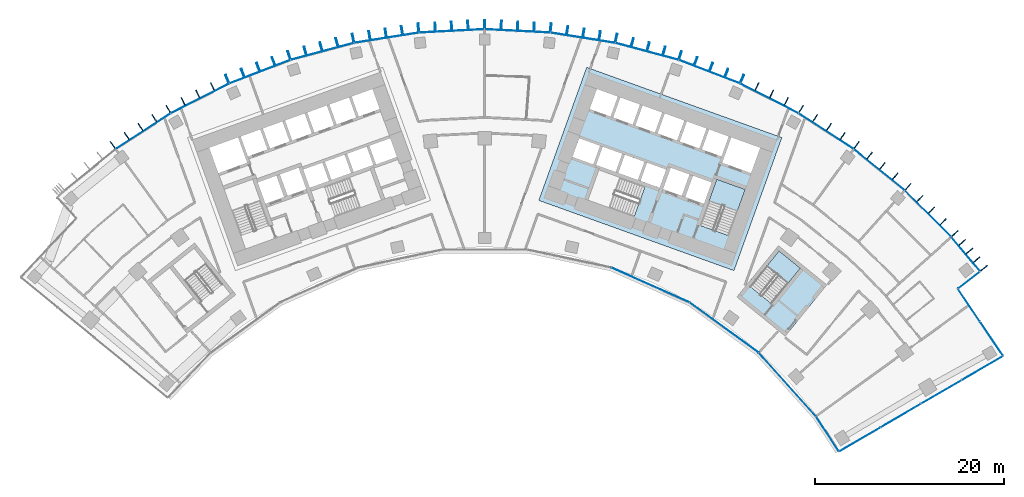
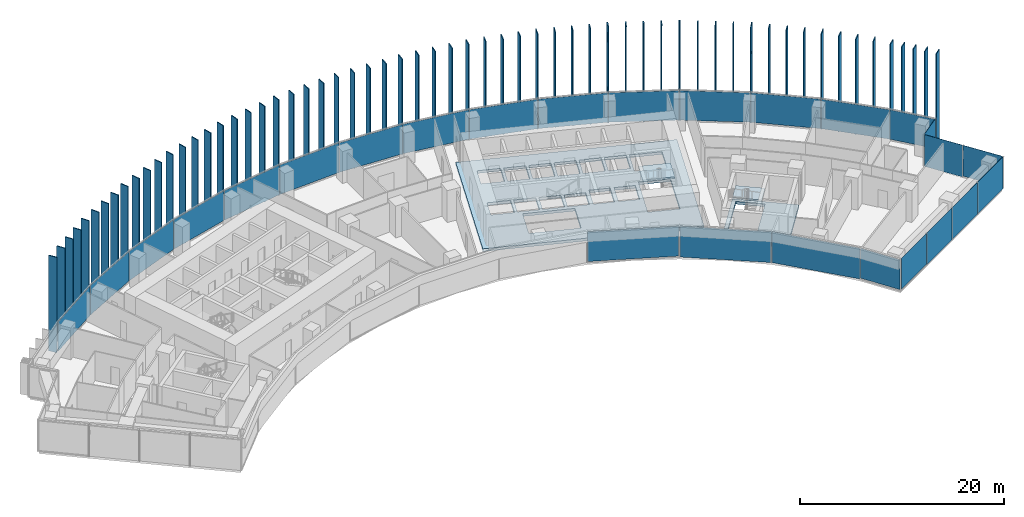
# One storey, part 14 of 22: 87 plates, 4 slabs, 7 elements without a shape of their own.
"""IFC4 building model written with IfcOpenShell, lengths in metres."""

from ifc_helpers import new_model, si_unit, direction, frame, origin, origin_2d, place, context, subcontext, project, spatial, polyline, rectangle, outline, extrude, material, layer, layer_set, type_object, element, aggregate, save


model = new_model("IFC4")

# Units and contexts
model_context = context("Model", 3, precision=1e-05, world=origin(), true_north=direction((0.0, 1.0)))
body_context = subcontext(model_context, "Body", "Model", "MODEL_VIEW")
ifc_project = project(units=[si_unit("LENGTHUNIT", "METRE"), si_unit("AREAUNIT", "SQUARE_METRE"), si_unit("VOLUMEUNIT", "CUBIC_METRE"), si_unit("PLANEANGLEUNIT", "RADIAN"), si_unit("MASSUNIT", "GRAM", prefix="KILO")], contexts=[model_context])

# Site, building, storey
site_placement = place(None, origin())
site = spatial("IfcSite", under=ifc_project, at=site_placement, CompositionType="ELEMENT")
building_placement = place(site_placement, origin())
building = spatial("IfcBuilding", under=site, at=building_placement, Name="Stone Belt Terrace Tower", CompositionType="ELEMENT")
storey_placement = place(building_placement, frame((0.0, 0.0, 109.800048828125)))
storey = spatial("IfcBuildingStorey", under=building, at=storey_placement, Name="L26", CompositionType="ELEMENT", Elevation=109.800048828125)

# Curtain wall, plates
ifc_material_1 = material(Name="Aluminium 6063-T6 anodised frame", Category="aluminium")
ifc_layer_1 = layer(ifc_material_1, 0.14990234375)
ifc_layer_set_1 = layer_set([ifc_layer_1], Name="CW-A unitised convex-face curtain wall")
curtain_wall_type_1 = type_object("IfcCurtainWallType", Name="CW-A unitised convex-face curtain wall", PredefinedType="NOTDEFINED", material=ifc_layer_set_1)
curtain_wall_1_placement = place(storey_placement, origin())
curtain_wall_1 = element("IfcCurtainWall", 1, at=curtain_wall_1_placement, inside=storey, type_object=curtain_wall_type_1, Name="CW-A convex face L26", PredefinedType="NOTDEFINED")
ifc_material_2 = material(Name="Clear double glazed unit")
ifc_layer_2 = layer(ifc_material_2, 0.031982421875)
ifc_layer_set_2 = layer_set([ifc_layer_2], Name="CW-A glass panel 32")
plate_type_1 = type_object("IfcPlateType", Name="CW-A glass panel 32", PredefinedType="CURTAIN_PANEL", material=ifc_layer_set_2)
plate_1_placement = place(storey_placement, frame((50.993896484375, 42.73583984375, 0.139892578125), z_axis=(0.0, 0.0, 1.0), x_axis=(-0.642509184121, 0.766277983711, 0.0)))
plate_1 = element("IfcPlate", 2, at=plate_1_placement, type_object=plate_type_1, Name="CW-A panel 1.1", PredefinedType="CURTAIN_PANEL", context=body_context, shape_type="SweptSolid", body=[
    extrude(rectangle(XDim=4.662841796875, YDim=0.031982421875, at=origin_2d()), origin(), (0.0, 0.0, 1.0), 3.52001953125),
])
plate_2_placement = place(storey_placement, frame((47.01123046875, 47.01123046875, 0.139892578125), z_axis=(0.0, 0.0, 1.0), x_axis=(-0.707106781187, 0.707106781187, 0.0)))
plate_2 = element("IfcPlate", 3, at=plate_2_placement, type_object=plate_type_1, Name="CW-A panel 2.1", PredefinedType="CURTAIN_PANEL", context=body_context, shape_type="SweptSolid", body=[
    extrude(rectangle(XDim=6.90087890625, YDim=0.031982421875, at=origin_2d()), origin(), (0.0, 0.0, 1.0), 3.52001953125),
])
plate_3_placement = place(storey_placement, frame((41.839599609375, 51.667724609375, 0.139892578125), z_axis=(0.0, 0.0, 1.0), x_axis=(-0.777145961457, 0.62932039105, 0.0)))
plate_3 = element("IfcPlate", 4, at=plate_3_placement, type_object=plate_type_1, Name="CW-A panel 3.1", PredefinedType="CURTAIN_PANEL", context=body_context, shape_type="SweptSolid", body=[
    extrude(rectangle(XDim=6.90087890625, YDim=0.031982421875, at=origin_2d()), origin(), (0.0, 0.0, 1.0), 3.52001953125),
])
plate_4_placement = place(storey_placement, frame((36.209716796875, 55.758056640625, 0.139892578125), z_axis=(0.0, 0.0, 1.0), x_axis=(-0.838670567945, 0.544639035015, 0.0)))
plate_4 = element("IfcPlate", 5, at=plate_4_placement, type_object=plate_type_1, Name="CW-A panel 4.1", PredefinedType="CURTAIN_PANEL", context=body_context, shape_type="SweptSolid", body=[
    extrude(rectangle(XDim=6.90087890625, YDim=0.031982421875, at=origin_2d()), origin(), (0.0, 0.0, 1.0), 3.52001953125),
])
plate_5_placement = place(storey_placement, frame((30.18310546875, 59.237548828125, 0.139892578125), z_axis=(0.0, 0.0, 1.0), x_axis=(-0.891006524188, 0.45399049974, 0.0)))
plate_5 = element("IfcPlate", 6, at=plate_5_placement, type_object=plate_type_1, Name="CW-A panel 5.1", PredefinedType="CURTAIN_PANEL", context=body_context, shape_type="SweptSolid", body=[
    extrude(rectangle(XDim=6.90087890625, YDim=0.031982421875, at=origin_2d()), origin(), (0.0, 0.0, 1.0), 3.52001953125),
])
plate_6_placement = place(storey_placement, frame((23.82568359375, 62.068115234375, 0.139892578125), z_axis=(0.0, 0.0, 1.0), x_axis=(-0.933580426497, 0.358367949545, 0.0)))
plate_6 = element("IfcPlate", 7, at=plate_6_placement, type_object=plate_type_1, Name="CW-A panel 6.1", PredefinedType="CURTAIN_PANEL", context=body_context, shape_type="SweptSolid", body=[
    extrude(rectangle(XDim=6.90087890625, YDim=0.031982421875, at=origin_2d()), origin(), (0.0, 0.0, 1.0), 3.52001953125),
])
plate_7_placement = place(storey_placement, frame((17.207275390625, 64.218505859375, 0.139892578125), z_axis=(0.0, 0.0, 1.0), x_axis=(-0.965925826289, 0.258819045103, 0.0)))
plate_7 = element("IfcPlate", 8, at=plate_7_placement, type_object=plate_type_1, Name="CW-A panel 7.1", PredefinedType="CURTAIN_PANEL", context=body_context, shape_type="SweptSolid", body=[
    extrude(rectangle(XDim=6.90087890625, YDim=0.031982421875, at=origin_2d()), origin(), (0.0, 0.0, 1.0), 3.52001953125),
])
plate_8_placement = place(storey_placement, frame((10.400390625, 65.665283203125, 0.139892578125), z_axis=(0.0, 0.0, 1.0), x_axis=(-0.987688340595, 0.15643446504, 0.0)))
plate_8 = element("IfcPlate", 9, at=plate_8_placement, type_object=plate_type_1, Name="CW-A panel 8.1", PredefinedType="CURTAIN_PANEL", context=body_context, shape_type="SweptSolid", body=[
    extrude(rectangle(XDim=6.90087890625, YDim=0.031982421875, at=origin_2d()), origin(), (0.0, 0.0, 1.0), 3.52001953125),
])
plate_9_placement = place(storey_placement, frame((3.4794921875, 66.392822265625, 0.139892578125), z_axis=(0.0, 0.0, 1.0), x_axis=(-0.998629534755, 0.052335956243, 0.0)))
plate_9 = element("IfcPlate", 10, at=plate_9_placement, type_object=plate_type_1, Name="CW-A panel 9.1", PredefinedType="CURTAIN_PANEL", context=body_context, shape_type="SweptSolid", body=[
    extrude(rectangle(XDim=6.90087890625, YDim=0.031982421875, at=origin_2d()), origin(), (0.0, 0.0, 1.0), 3.52001953125),
])
plate_10_placement = place(storey_placement, frame((-3.4794921875, 66.392822265625, 0.139892578125), z_axis=(0.0, 0.0, 1.0), x_axis=(-0.998629534755, -0.052335956243, 0.0)))
plate_10 = element("IfcPlate", 11, at=plate_10_placement, type_object=plate_type_1, Name="CW-A panel 10.1", PredefinedType="CURTAIN_PANEL", context=body_context, shape_type="SweptSolid", body=[
    extrude(rectangle(XDim=6.90087890625, YDim=0.031982421875, at=origin_2d()), origin(), (0.0, 0.0, 1.0), 3.52001953125),
])
plate_11_placement = place(storey_placement, frame((-10.400390625, 65.665283203125, 0.139892578125), z_axis=(0.0, 0.0, 1.0), x_axis=(-0.987688340595, -0.15643446504, 0.0)))
plate_11 = element("IfcPlate", 12, at=plate_11_placement, type_object=plate_type_1, Name="CW-A panel 11.1", PredefinedType="CURTAIN_PANEL", context=body_context, shape_type="SweptSolid", body=[
    extrude(rectangle(XDim=6.90087890625, YDim=0.031982421875, at=origin_2d()), origin(), (0.0, 0.0, 1.0), 3.52001953125),
])
plate_12_placement = place(storey_placement, frame((-17.207275390625, 64.218505859375, 0.139892578125), z_axis=(0.0, 0.0, 1.0), x_axis=(-0.965925826289, -0.258819045103, 0.0)))
plate_12 = element("IfcPlate", 13, at=plate_12_placement, type_object=plate_type_1, Name="CW-A panel 12.1", PredefinedType="CURTAIN_PANEL", context=body_context, shape_type="SweptSolid", body=[
    extrude(rectangle(XDim=6.90087890625, YDim=0.031982421875, at=origin_2d()), origin(), (0.0, 0.0, 1.0), 3.52001953125),
])
plate_13_placement = place(storey_placement, frame((-23.82568359375, 62.068115234375, 0.139892578125), z_axis=(0.0, 0.0, 1.0), x_axis=(-0.933580426497, -0.358367949545, 0.0)))
plate_13 = element("IfcPlate", 14, at=plate_13_placement, type_object=plate_type_1, Name="CW-A panel 13.1", PredefinedType="CURTAIN_PANEL", context=body_context, shape_type="SweptSolid", body=[
    extrude(rectangle(XDim=6.90087890625, YDim=0.031982421875, at=origin_2d()), origin(), (0.0, 0.0, 1.0), 3.52001953125),
])
plate_14_placement = place(storey_placement, frame((-30.18310546875, 59.237548828125, 0.139892578125), z_axis=(0.0, 0.0, 1.0), x_axis=(-0.891006524188, -0.45399049974, 0.0)))
plate_14 = element("IfcPlate", 15, at=plate_14_placement, type_object=plate_type_1, Name="CW-A panel 14.1", PredefinedType="CURTAIN_PANEL", context=body_context, shape_type="SweptSolid", body=[
    extrude(rectangle(XDim=6.90087890625, YDim=0.031982421875, at=origin_2d()), origin(), (0.0, 0.0, 1.0), 3.52001953125),
])
plate_15_placement = place(storey_placement, frame((-36.209716796875, 55.758056640625, 0.139892578125), z_axis=(0.0, 0.0, 1.0), x_axis=(-0.838670567945, -0.544639035015, 0.0)))
plate_15 = element("IfcPlate", 16, at=plate_15_placement, type_object=plate_type_1, Name="CW-A panel 15.1", PredefinedType="CURTAIN_PANEL", context=body_context, shape_type="SweptSolid", body=[
    extrude(rectangle(XDim=6.90087890625, YDim=0.031982421875, at=origin_2d()), origin(), (0.0, 0.0, 1.0), 3.52001953125),
])
aggregate(curtain_wall_1, [plate_1, plate_2, plate_3, plate_4, plate_5, plate_6, plate_7, plate_8, plate_9, plate_10, plate_11, plate_12, plate_13, plate_14, plate_15])

ifc_layer_3 = layer(ifc_material_1, 0.14990234375)
ifc_layer_set_3 = layer_set([ifc_layer_3], Name="CW-B unitised concave-face curtain wall")
curtain_wall_type_2 = type_object("IfcCurtainWallType", Name="CW-B unitised concave-face curtain wall", PredefinedType="NOTDEFINED", material=ifc_layer_set_3)
curtain_wall_2_placement = place(storey_placement, origin())
curtain_wall_2 = element("IfcCurtainWall", 17, at=curtain_wall_2_placement, inside=storey, type_object=curtain_wall_type_2, Name="CW-B concave face L26", PredefinedType="NOTDEFINED")
ifc_layer_4 = layer(ifc_material_2, 0.030029296875)
ifc_layer_set_4 = layer_set([ifc_layer_4], Name="CW-B glass panel 30")
plate_type_2 = type_object("IfcPlateType", Name="CW-B glass panel 30", PredefinedType="CURTAIN_PANEL", material=ifc_layer_set_4)
plate_16_placement = place(storey_placement, frame((17.565673828125, 39.453125, 0.119873046875), z_axis=(0.0, 0.0, 1.0), x_axis=(0.913545457643, -0.406736643076, 0.0)))
plate_16 = element("IfcPlate", 18, at=plate_16_placement, type_object=plate_type_2, Name="CW-B panel 7.1", PredefinedType="CURTAIN_PANEL", context=body_context, shape_type="SweptSolid", body=[
    extrude(rectangle(XDim=9.0126953125, YDim=0.030029296875, at=origin_2d()), origin(), (0.0, 0.0, 1.0), 3.56005859375),
])
plate_17_placement = place(storey_placement, frame((25.384521484375, 34.938720703125, 0.0), z_axis=(0.0, 0.0, 1.0), x_axis=(0.809016994375, -0.587785252292, 0.0)))
plate_17 = element("IfcPlate", 19, at=plate_17_placement, type_object=plate_type_2, Name="CW-B panel 8.1", PredefinedType="CURTAIN_PANEL", context=body_context, shape_type="SweptSolid", body=[
    extrude(rectangle(XDim=9.0126953125, YDim=0.030029296875, at=origin_2d()), origin(), (0.0, 0.0, 1.0), 3.679931640625),
])
plate_18_placement = place(storey_placement, frame((32.09521484375, 28.89599609375, 0.0), z_axis=(0.0, 0.0, 1.0), x_axis=(0.669130606359, -0.743144825477, 0.0)))
plate_18 = element("IfcPlate", 20, at=plate_18_placement, type_object=plate_type_2, Name="CW-B panel 9.1", PredefinedType="CURTAIN_PANEL", context=body_context, shape_type="SweptSolid", body=[
    extrude(rectangle(XDim=9.016845703125, YDim=0.030029296875, at=origin_2d()), origin(), (0.0, 0.0, 1.0), 3.679931640625),
])
plate_19_placement = place(storey_placement, frame((36.3408203125, 23.66943359375, 0.119873046875), z_axis=(0.0, 0.0, 1.0), x_axis=(0.546131502436, -0.837699458068, 0.0)))
plate_19 = element("IfcPlate", 21, at=plate_19_placement, type_object=plate_type_2, Name="CW-B panel 10.1", PredefinedType="CURTAIN_PANEL", context=body_context, shape_type="SweptSolid", body=[
    extrude(rectangle(XDim=4.363525390625, YDim=0.030029296875, at=origin_2d()), origin(), (0.0, 0.0, 1.0), 3.56005859375),
])
aggregate(curtain_wall_2, [plate_16, plate_17, plate_18, plate_19])

ifc_layer_5 = layer(ifc_material_1, 0.14990234375)
ifc_layer_set_5 = layer_set([ifc_layer_5], Name="CW-C stick curtain wall, horn ends and notches")
curtain_wall_type_3 = type_object("IfcCurtainWallType", Name="CW-C stick curtain wall, horn ends and notches", PredefinedType="NOTDEFINED", material=ifc_layer_set_5)
curtain_wall_3_placement = place(storey_placement, origin())
curtain_wall_3 = element("IfcCurtainWall", 22, at=curtain_wall_3_placement, inside=storey, type_object=curtain_wall_type_3, Name="CW-C end face L26", PredefinedType="NOTDEFINED")
ifc_layer_6 = layer(ifc_material_2, 0.028076171875)
ifc_layer_set_6 = layer_set([ifc_layer_6], Name="CW-C glass panel 28")
plate_type_3 = type_object("IfcPlateType", Name="CW-C glass panel 28", PredefinedType="CURTAIN_PANEL", material=ifc_layer_set_6)
plate_20_placement = place(storey_placement, frame((39.78076171875, 23.06982421875, 0.1201171875), z_axis=(0.0, 0.0, 1.0), x_axis=(0.864239322284, 0.503080901861, 0.0)))
plate_20 = element("IfcPlate", 23, at=plate_20_placement, type_object=plate_type_3, Name="CW-C panel 1.1", PredefinedType="CURTAIN_PANEL", context=body_context, shape_type="SweptSolid", body=[
    extrude(rectangle(XDim=4.9677734375, YDim=0.028076171875, at=origin_2d()), origin(), (0.0, 0.0, 1.0), 3.679931640625),
])
plate_21_placement = place(storey_placement, frame((44.114013671875, 25.59228515625, 0.0), z_axis=(0.0, 0.0, 1.0), x_axis=(0.864239322284, 0.503080901861, 0.0)))
plate_21 = element("IfcPlate", 24, at=plate_21_placement, type_object=plate_type_3, Name="CW-C panel 2.1", PredefinedType="CURTAIN_PANEL", context=body_context, shape_type="SweptSolid", body=[
    extrude(rectangle(XDim=4.93994140625, YDim=0.028076171875, at=origin_2d()), origin(), (0.0, 0.0, 1.0), 3.800048828125),
])
plate_22_placement = place(storey_placement, frame((48.43505859375, 28.107666015625, 0.0), z_axis=(0.0, 0.0, 1.0), x_axis=(0.864239322284, 0.503080901861, 0.0)))
plate_22 = element("IfcPlate", 25, at=plate_22_placement, type_object=plate_type_3, Name="CW-C panel 3.1", PredefinedType="CURTAIN_PANEL", context=body_context, shape_type="SweptSolid", body=[
    extrude(rectangle(XDim=4.93994140625, YDim=0.028076171875, at=origin_2d()), origin(), (0.0, 0.0, 1.0), 3.800048828125),
])
plate_23_placement = place(storey_placement, frame((52.771484375, 30.6318359375, 0.0), z_axis=(0.0, 0.0, 1.0), x_axis=(0.864239322284, 0.503080901861, 0.0)))
plate_23 = element("IfcPlate", 26, at=plate_23_placement, type_object=plate_type_3, Name="CW-C panel 4.1", PredefinedType="CURTAIN_PANEL", context=body_context, shape_type="SweptSolid", body=[
    extrude(rectangle(XDim=4.974853515625, YDim=0.028076171875, at=origin_2d()), origin(), (0.0, 0.0, 1.0), 3.800048828125),
])
aggregate(curtain_wall_3, [plate_20, plate_21, plate_22, plate_23])

curtain_wall_4_placement = place(storey_placement, origin())
curtain_wall_4 = element("IfcCurtainWall", 27, at=curtain_wall_4_placement, inside=storey, type_object=curtain_wall_type_3, Name="CW-C notch face L26", PredefinedType="NOTDEFINED")
plate_24_placement = place(storey_placement, frame((53.748046875, 33.751220703125, 0.1201171875), z_axis=(0.0, 0.0, 1.0), x_axis=(-0.560367245622, 0.828244257471, 0.0)))
plate_24 = element("IfcPlate", 28, at=plate_24_placement, type_object=plate_type_3, Name="CW-C panel 1.1", PredefinedType="CURTAIN_PANEL", context=body_context, shape_type="SweptSolid", body=[
    extrude(rectangle(XDim=4.268798828125, YDim=0.028076171875, at=origin_2d()), origin(), (0.0, 0.0, 1.0), 3.679931640625),
])
plate_25_placement = place(storey_placement, frame((51.364013671875, 37.275146484375, 0.0), z_axis=(0.0, 0.0, 1.0), x_axis=(-0.560367245622, 0.828244257471, 0.0)))
plate_25 = element("IfcPlate", 29, at=plate_25_placement, type_object=plate_type_3, Name="CW-C panel 2.1", PredefinedType="CURTAIN_PANEL", context=body_context, shape_type="SweptSolid", body=[
    extrude(rectangle(XDim=4.12060546875, YDim=0.028076171875, at=origin_2d()), origin(), (0.0, 0.0, 1.0), 3.800048828125),
])
aggregate(curtain_wall_4, [plate_24, plate_25])

# Curtain wall, plate
curtain_wall_5_placement = place(storey_placement, origin())
curtain_wall_5 = element("IfcCurtainWall", 30, at=curtain_wall_5_placement, inside=storey, type_object=curtain_wall_type_3, Name="CW-C notch face L26", PredefinedType="NOTDEFINED")
plate_26_placement = place(storey_placement, frame((51.353515625, 39.966552734375, 0.1201171875), z_axis=(0.0, 0.0, 1.0), x_axis=(0.788458012337, 0.615088581248, 0.0)))
plate_26 = element("IfcPlate", 31, at=plate_26_placement, type_object=plate_type_3, Name="CW-C panel 1.1", PredefinedType="CURTAIN_PANEL", context=body_context, shape_type="SweptSolid", body=[
    extrude(rectangle(XDim=2.859619140625, YDim=0.028076171875, at=origin_2d()), origin(), (0.0, 0.0, 1.0), 3.679931640625),
])
aggregate(curtain_wall_5, [plate_26])

# Slabs
ifc_material_3 = material(Name="Concrete B40", Category="concrete")
ifc_layer_7 = layer(ifc_material_3, 0.320068359375)
ifc_layer_set_7 = layer_set([ifc_layer_7], Name="Core floor slab 320")
slab_type_1 = type_object("IfcSlabType", Name="Core floor slab 320", PredefinedType="FLOOR", material=ifc_layer_set_7)
slab_1_placement = place(storey_placement, frame((0.0, 0.0, -0.320068359375)))
element("IfcSlab", 32, at=slab_1_placement, inside=storey, type_object=slab_type_1, Name="Core B floor L26", PredefinedType="FLOOR", context=body_context, shape_type="SweptSolid", body=[
    extrude(outline(polyline([(26.43505859375, 40.968994140625), (31.513916015625, 55.0830078125), (10.81396484375, 62.531982421875), (5.735107421875, 48.4189453125), (26.43505859375, 40.968994140625)]), holes=[polyline([(12.10595703125, 51.652099609375), (16.998046875, 49.89208984375), (15.846923828125, 46.69189453125), (10.955078125, 48.452880859375), (12.10595703125, 51.652099609375)]), polyline([(19.239990234375, 51.68896484375), (18.5458984375, 49.760009765625), (16.52294921875, 50.488037109375), (17.217041015625, 52.4169921875), (19.239990234375, 51.68896484375)]), polyline([(16.239990234375, 50.589111328125), (14.169921875, 51.333984375), (14.864013671875, 53.262939453125), (16.93408203125, 52.51806640625), (16.239990234375, 50.589111328125)]), polyline([(14.58203125, 53.364990234375), (13.887939453125, 51.43603515625), (11.864990234375, 52.1640625), (11.847900390625, 52.116943359375), (11.801025390625, 52.134033203125), (12.511962890625, 54.110107421875), (14.58203125, 53.364990234375)]), polyline([(9.30810546875, 53.031005859375), (10.01904296875, 55.007080078125), (12.22998046875, 54.2109375), (11.51904296875, 52.235107421875), (9.30810546875, 53.031005859375)]), polyline([(16.743896484375, 58.485107421875), (18.81396484375, 57.739990234375), (18.052001953125, 55.623046875), (15.98193359375, 56.367919921875), (16.743896484375, 58.485107421875)]), polyline([(14.39111328125, 59.33203125), (16.4609375, 58.5869140625), (15.699951171875, 56.469970703125), (13.6298828125, 57.215087890625), (14.39111328125, 59.33203125)]), polyline([(11.89794921875, 60.22900390625), (14.10888671875, 59.43408203125), (13.346923828125, 57.31591796875), (11.135986328125, 58.112060546875), (11.89794921875, 60.22900390625)]), polyline([(25.85888671875, 44.68408203125), (22.847900390625, 45.76806640625), (24.60791015625, 50.659912109375), (27.618896484375, 49.575927734375), (25.85888671875, 44.68408203125)]), polyline([(21.27392578125, 48.778076171875), (22.0869140625, 51.035888671875), (24.06298828125, 50.324951171875), (23.25, 48.06689453125), (21.27392578125, 48.778076171875)]), polyline([(18.922119140625, 49.6240234375), (19.735107421875, 51.883056640625), (21.7109375, 51.1708984375), (20.89794921875, 48.9130859375), (18.922119140625, 49.6240234375)]), polyline([(29.2109375, 53.9990234375), (28.24609375, 51.31689453125), (25.18798828125, 52.41796875), (26.153076171875, 55.09912109375), (29.2109375, 53.9990234375)]), polyline([(23.801025390625, 55.946044921875), (25.87109375, 55.200927734375), (25.10888671875, 53.083984375), (23.0390625, 53.8291015625), (23.801025390625, 55.946044921875)]), polyline([(21.447998046875, 56.7919921875), (23.51806640625, 56.047119140625), (22.756103515625, 53.929931640625), (20.68603515625, 54.675048828125), (21.447998046875, 56.7919921875)]), polyline([(19.095947265625, 57.638916015625), (21.166015625, 56.89404296875), (20.404052734375, 54.777099609375), (18.333984375, 55.52197265625), (19.095947265625, 57.638916015625)])]), origin(), (0.0, 0.0, 1.0), 0.320068359375),
])
slab_2_placement = place(storey_placement, frame((0.0, 0.0, -0.320068359375)))
element("IfcSlab", 33, at=slab_2_placement, inside=storey, type_object=slab_type_1, Name="Exit stair ST3B floor L26", PredefinedType="FLOOR", context=body_context, shape_type="SweptSolid", body=[
    extrude(outline(polyline([(26.741943359375, 38.18408203125), (31.866943359375, 34.02392578125), (36.278076171875, 39.458984375), (31.154052734375, 43.618896484375), (26.741943359375, 38.18408203125)]), holes=[polyline([(30.407958984375, 37.462890625), (28.156005859375, 39.291015625), (31.2119140625, 43.055908203125), (33.464111328125, 41.22802734375), (30.407958984375, 37.462890625)])]), origin(), (0.0, 0.0, 1.0), 0.320068359375),
])

# Stair, slab
stair_type = type_object("IfcStairType", Name="Exit stair 1500", PredefinedType="HALF_TURN_STAIR", material=ifc_material_3)
stair_1_placement = place(storey_placement, origin())
stair_1 = element("IfcStair", 34, at=stair_1_placement, inside=storey, type_object=stair_type, Name="L26 Exit stair 1 core B", PredefinedType="HALF_TURN_STAIR")
ifc_layer_8 = layer(ifc_material_3, 0.199951171875)
ifc_layer_set_8 = layer_set([ifc_layer_8], Name="Stair landing 200")
slab_type_2 = type_object("IfcSlabType", Name="Stair landing 200", PredefinedType="LANDING", material=ifc_layer_set_8)
slab_3_placement = place(storey_placement, frame((0.0, 0.0, 1.699951171875)))
slab_3 = element("IfcSlab", 35, at=slab_3_placement, type_object=slab_type_2, Name="ST1B landing 1", PredefinedType="LANDING", context=body_context, shape_type="SweptSolid", body=[
    extrude(outline(polyline([(26.806396484375, 47.3173828125), (27.619384765625, 49.576171875), (24.6083984375, 50.659912109375), (23.79541015625, 48.40087890625), (26.806396484375, 47.3173828125)])), origin(), (0.0, 0.0, 1.0), 0.199951171875),
])
aggregate(stair_1, [slab_3])

stair_2_placement = place(storey_placement, origin())
stair_2 = element("IfcStair", 36, at=stair_2_placement, inside=storey, type_object=stair_type, Name="L26 Exit stair 3B", PredefinedType="HALF_TURN_STAIR")
slab_4_placement = place(storey_placement, frame((0.0, 0.0, 1.699951171875)))
slab_4 = element("IfcSlab", 37, at=slab_4_placement, type_object=slab_type_2, Name="ST3B landing 1", PredefinedType="LANDING", context=body_context, shape_type="SweptSolid", body=[
    extrude(outline(polyline([(32.17138671875, 39.635986328125), (33.4638671875, 41.228271484375), (31.21240234375, 43.055908203125), (29.919921875, 41.463623046875), (32.17138671875, 39.635986328125)])), origin(), (0.0, 0.0, 1.0), 0.199951171875),
])
aggregate(stair_2, [slab_4])

# Plates
ifc_material_4 = material(Name="Terracotta coloured glazed ceramic", Category="masonry")
ifc_layer_9 = layer(ifc_material_4, 0.10009765625)
ifc_layer_set_9 = layer_set([ifc_layer_9], Name="Terracotta fin 100 x 900")
plate_type_4 = type_object("IfcPlateType", Name="Terracotta fin 100 x 900", PredefinedType="SHEET", material=ifc_layer_set_9)
for number, where, z_axis, x_axis, name in (
    (38, (52.942138671875, 41.229248046875, 0.0), (0.0, 0.0, 1.0), (0.766277983711, 0.642509184121, 0.0), "FIN L26 1.1"),
    (39, (52.17578125, 42.143310546875, 0.0), (0.0, 0.0, 1.0), (0.766277983711, 0.642509184121, 0.0), "FIN L26 1.2"),
    (40, (51.409423828125, 43.057373046875, 0.0), (0.0, 0.0, 1.0), (0.766277983711, 0.642509184121, 0.0), "FIN L26 1.3"),
    (41, (50.64306640625, 43.97119140625, 0.0), (0.0, 0.0, 1.0), (0.766277983711, 0.642509184121, 0.0), "FIN L26 1.4"),
    (42, (49.861572265625, 44.902587890625, 0.0), (0.0, 0.0, 1.0), (0.737400080522, 0.675456231925, 0.0), "FIN L26 2.1"),
    (43, (48.614013671875, 46.15087890625, 0.0), (0.0, 0.0, 1.0), (0.707106781187, 0.707106781187, 0.0), "FIN L26 2.2"),
    (44, (47.382080078125, 47.382568359375, 0.0), (0.0, 0.0, 1.0), (0.707106781187, 0.707106781187, 0.0), "FIN L26 2.3"),
    (45, (46.150390625, 48.614501953125, 0.0), (0.0, 0.0, 1.0), (0.707106781187, 0.707106781187, 0.0), "FIN L26 2.4"),
    (46, (44.898681640625, 49.864990234375, 0.0), (0.0, 0.0, 1.0), (0.669130606359, 0.743144825477, 0.0), "FIN L26 3.1"),
    (47, (43.52392578125, 50.979248046875, 0.0), (0.0, 0.0, 1.0), (0.62932039105, 0.777145961457, 0.0), "FIN L26 3.2"),
    (48, (42.170166015625, 52.07568359375, 0.0), (0.0, 0.0, 1.0), (0.62932039105, 0.777145961457, 0.0), "FIN L26 3.3"),
    (49, (40.816162109375, 53.172119140625, 0.0), (0.0, 0.0, 1.0), (0.62932039105, 0.777145961457, 0.0), "FIN L26 3.4"),
    (50, (39.4404296875, 54.28515625, 0.0), (0.0, 0.0, 1.0), (0.587785252292, 0.809016994375, 0.0), "FIN L26 4.1"),
    (51, (37.956787109375, 55.24951171875, 0.0), (0.0, 0.0, 1.0), (0.544639035015, 0.838670567945, 0.0), "FIN L26 4.2"),
    (52, (36.49560546875, 56.1982421875, 0.0), (0.0, 0.0, 1.0), (0.544639035015, 0.838670567945, 0.0), "FIN L26 4.3"),
    (53, (35.03466796875, 57.147216796875, 0.0), (0.0, 0.0, 1.0), (0.544639035015, 0.838670567945, 0.0), "FIN L26 4.4"),
    (54, (33.550048828125, 58.1103515625, 0.0), (0.0, 0.0, 1.0), (0.5, 0.866025403784, 0.0), "FIN L26 5.1"),
    (55, (31.9736328125, 58.914306640625, 0.0), (0.0, 0.0, 1.0), (0.45399049974, 0.891006524188, 0.0), "FIN L26 5.2"),
    (56, (30.42138671875, 59.705322265625, 0.0), (0.0, 0.0, 1.0), (0.45399049974, 0.891006524188, 0.0), "FIN L26 5.3"),
    (57, (28.869140625, 60.496337890625, 0.0), (0.0, 0.0, 1.0), (0.45399049974, 0.891006524188, 0.0), "FIN L26 5.4"),
    (58, (27.2919921875, 61.299072265625, 0.0), (0.0, 0.0, 1.0), (0.406736643076, 0.913545457643, 0.0), "FIN L26 6.1"),
    (59, (25.64013671875, 61.933837890625, 0.0), (0.0, 0.0, 1.0), (0.358367949545, 0.933580426497, 0.0), "FIN L26 6.2"),
    (60, (24.013916015625, 62.55810546875, 0.0), (0.0, 0.0, 1.0), (0.358367949545, 0.933580426497, 0.0), "FIN L26 6.3"),
    (61, (22.387451171875, 63.182373046875, 0.0), (0.0, 0.0, 1.0), (0.358367949545, 0.933580426497, 0.0), "FIN L26 6.4"),
    (62, (20.735107421875, 63.81591796875, 0.0), (0.0, 0.0, 1.0), (0.309016994375, 0.951056516295, 0.0), "FIN L26 7.1"),
    (63, (19.02587890625, 64.274658203125, 0.0), (0.0, 0.0, 1.0), (0.258819045103, 0.965925826289, 0.0), "FIN L26 7.2"),
    (64, (17.34326171875, 64.7255859375, 0.0), (0.0, 0.0, 1.0), (0.258819045103, 0.965925826289, 0.0), "FIN L26 7.3"),
    (65, (15.660400390625, 65.176513671875, 0.0), (0.0, 0.0, 1.0), (0.258819045103, 0.965925826289, 0.0), "FIN L26 7.4"),
    (66, (13.950927734375, 65.6337890625, 0.0), (0.0, 0.0, 1.0), (0.207911690818, 0.978147600734, 0.0), "FIN L26 8.1"),
    (67, (12.203125, 65.911376953125, 0.0), (0.0, 0.0, 1.0), (0.15643446504, 0.987688340595, 0.0), "FIN L26 8.2"),
    (68, (10.482421875, 66.183837890625, 0.0), (0.0, 0.0, 1.0), (0.15643446504, 0.987688340595, 0.0), "FIN L26 8.3"),
    (69, (8.76171875, 66.456298828125, 0.0), (0.0, 0.0, 1.0), (0.15643446504, 0.987688340595, 0.0), "FIN L26 8.4"),
    (70, (7.013916015625, 66.732421875, 0.0), (0.0, 0.0, 1.0), (0.104528463268, 0.994521895368, 0.0), "FIN L26 9.1"),
    (71, (5.246826171875, 66.825927734375, 0.0), (0.0, 0.0, 1.0), (0.052335956243, 0.998629534755, 0.0), "FIN L26 9.2"),
    (72, (3.507080078125, 66.9169921875, 0.0), (0.0, 0.0, 1.0), (0.052335956243, 0.998629534755, 0.0), "FIN L26 9.3"),
    (73, (1.767333984375, 67.00830078125, 0.0), (0.0, 0.0, 1.0), (0.052335956243, 0.998629534755, 0.0), "FIN L26 9.4"),
    (74, (0.0, 67.10009765625, 0.0), (0.0, 0.0, 1.0), (0.0, 1.0, 0.0), "FIN L26 10.1"),
    (75, (-1.767333984375, 67.00830078125, 0.0), (0.0, 0.0, 1.0), (-0.052335956243, 0.998629534755, 0.0), "FIN L26 10.2"),
    (76, (-3.507080078125, 66.9169921875, 0.0), (0.0, 0.0, 1.0), (-0.052335956243, 0.998629534755, 0.0), "FIN L26 10.3"),
    (77, (-5.246826171875, 66.825927734375, 0.0), (0.0, 0.0, 1.0), (-0.052335956243, 0.998629534755, 0.0), "FIN L26 10.4"),
    (78, (-7.013916015625, 66.732421875, 0.0), (0.0, 0.0, 1.0), (-0.104528463268, 0.994521895368, 0.0), "FIN L26 11.1"),
    (79, (-8.76171875, 66.456298828125, 0.0), (0.0, 0.0, 1.0), (-0.15643446504, 0.987688340595, 0.0), "FIN L26 11.2"),
    (80, (-10.482421875, 66.183837890625, 0.0), (0.0, 0.0, 1.0), (-0.15643446504, 0.987688340595, 0.0), "FIN L26 11.3"),
    (81, (-12.203125, 65.911376953125, 0.0), (0.0, 0.0, 1.0), (-0.15643446504, 0.987688340595, 0.0), "FIN L26 11.4"),
    (82, (-13.950927734375, 65.6337890625, 0.0), (0.0, 0.0, 1.0), (-0.207911690818, 0.978147600734, 0.0), "FIN L26 12.1"),
    (83, (-15.660400390625, 65.176513671875, 0.0), (0.0, 0.0, 1.0), (-0.258819045103, 0.965925826289, 0.0), "FIN L26 12.2"),
    (84, (-17.34326171875, 64.7255859375, 0.0), (0.0, 0.0, 1.0), (-0.258819045103, 0.965925826289, 0.0), "FIN L26 12.3"),
    (85, (-19.02587890625, 64.274658203125, 0.0), (0.0, 0.0, 1.0), (-0.258819045103, 0.965925826289, 0.0), "FIN L26 12.4"),
    (86, (-20.735107421875, 63.81591796875, 0.0), (0.0, 0.0, 1.0), (-0.309016994375, 0.951056516295, 0.0), "FIN L26 13.1"),
    (87, (-22.387451171875, 63.182373046875, 0.0), (0.0, 0.0, 1.0), (-0.358367949545, 0.933580426497, 0.0), "FIN L26 13.2"),
    (88, (-24.013916015625, 62.55810546875, 0.0), (0.0, 0.0, 1.0), (-0.358367949545, 0.933580426497, 0.0), "FIN L26 13.3"),
    (89, (-25.64013671875, 61.933837890625, 0.0), (0.0, 0.0, 1.0), (-0.358367949545, 0.933580426497, 0.0), "FIN L26 13.4"),
    (90, (-27.2919921875, 61.299072265625, 0.0), (0.0, 0.0, 1.0), (-0.406736643076, 0.913545457643, 0.0), "FIN L26 14.1"),
    (91, (-28.869140625, 60.496337890625, 0.0), (0.0, 0.0, 1.0), (-0.45399049974, 0.891006524188, 0.0), "FIN L26 14.2"),
    (92, (-30.42138671875, 59.705322265625, 0.0), (0.0, 0.0, 1.0), (-0.45399049974, 0.891006524188, 0.0), "FIN L26 14.3"),
    (93, (-31.9736328125, 58.914306640625, 0.0), (0.0, 0.0, 1.0), (-0.45399049974, 0.891006524188, 0.0), "FIN L26 14.4"),
    (94, (-33.550048828125, 58.1103515625, 0.0), (0.0, 0.0, 1.0), (-0.5, 0.866025403784, 0.0), "FIN L26 15.1"),
    (95, (-35.03466796875, 57.147216796875, 0.0), (0.0, 0.0, 1.0), (-0.544639035015, 0.838670567945, 0.0), "FIN L26 15.2"),
    (96, (-36.49560546875, 56.1982421875, 0.0), (0.0, 0.0, 1.0), (-0.544639035015, 0.838670567945, 0.0), "FIN L26 15.3"),
    (97, (-37.956787109375, 55.24951171875, 0.0), (0.0, 0.0, 1.0), (-0.544639035015, 0.838670567945, 0.0), "FIN L26 15.4"),
    (98, (-39.4404296875, 54.28515625, 0.0), (0.0, 0.0, 1.0), (-0.587785252292, 0.809016994375, 0.0), "FIN L26 16.1"),
):
    element("IfcPlate", number, at=place(storey_placement, frame(where, z_axis=z_axis, x_axis=x_axis)), inside=storey, type_object=plate_type_4, Name=name, PredefinedType="SHEET", context=body_context, shape_type="SweptSolid", body=[
        extrude(rectangle(XDim=0.89990234375, YDim=0.10009765625, at=origin_2d()), origin(), (0.0, 0.0, 1.0), 11.39990234375),
    ])

save(model, "model.ifc")
